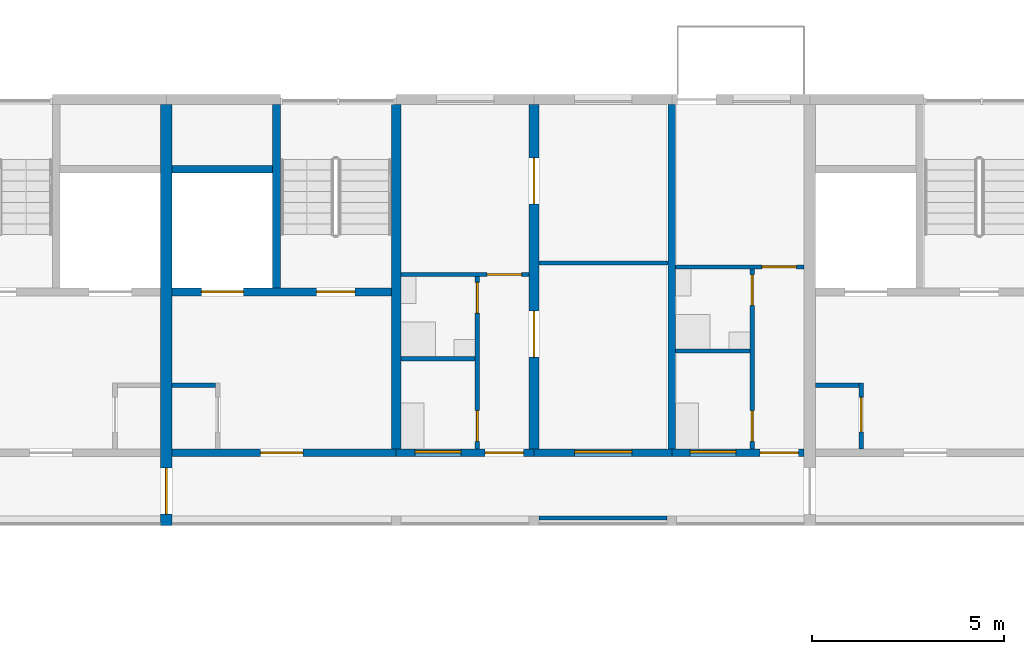
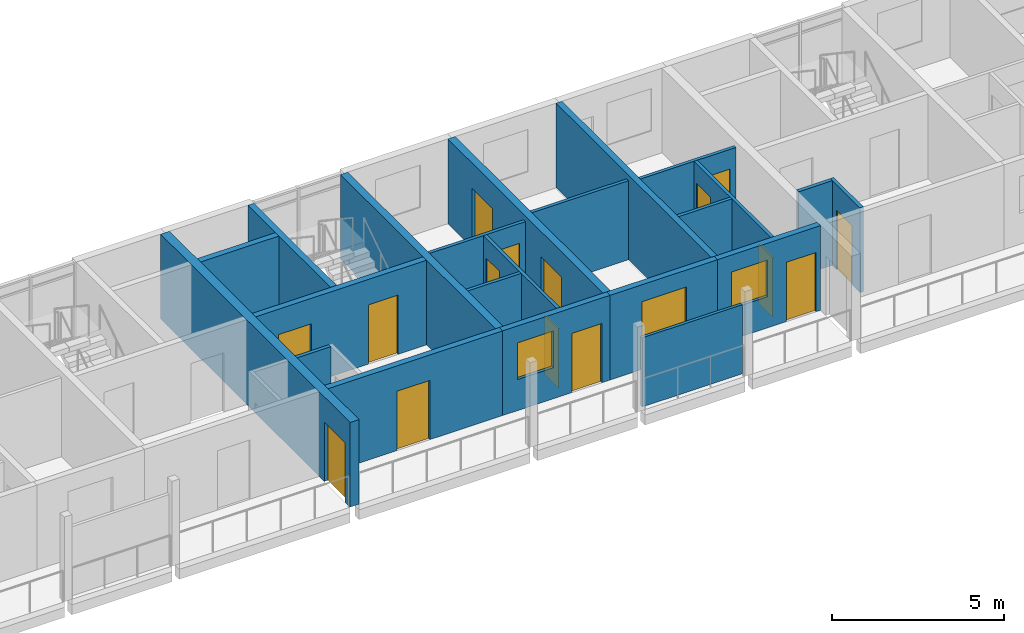
# One storey, part 53 of 100: 22 walls, 15 doors, 3 windows, 18 openings.
"""IFC4 building model written with IfcOpenShell, lengths in metres."""

from ifc_helpers import new_model, si_unit, direction, frame, frame_2d, origin, place, context, subcontext, project, spatial, rectangle, extrude, material, layer, layer_set, type_object, element, fill, save


model = new_model("IFC4")

# Units and contexts
model_context = context("Model", 3, precision=1e-05, world=origin(), true_north=direction((0.0, 1.0)))
body_context = subcontext(model_context, "Body", "Model", "MODEL_VIEW")
ifc_project = project(units=[si_unit("LENGTHUNIT", "METRE"), si_unit("AREAUNIT", "SQUARE_METRE"), si_unit("VOLUMEUNIT", "CUBIC_METRE"), si_unit("PLANEANGLEUNIT", "RADIAN"), si_unit("MASSUNIT", "GRAM", prefix="KILO")], contexts=[model_context])

# Site, building, storey
site_placement = place(None, origin())
site = spatial("IfcSite", under=ifc_project, at=site_placement, CompositionType="ELEMENT")
building_placement = place(site_placement, origin())
building = spatial("IfcBuilding", under=site, at=building_placement, Name="Ridgestep Commons", CompositionType="ELEMENT")
storey_placement = place(building_placement, frame((0.0, 0.0, 9.0)))
storey = spatial("IfcBuildingStorey", under=building, at=storey_placement, Name="L03", CompositionType="ELEMENT", Elevation=9.0)

# Wall
ifc_material_1 = material(Name="Concrete C30/37", Category="concrete")
ifc_layer_1 = layer(ifc_material_1, 0.25)
ifc_layer_set_1 = layer_set([ifc_layer_1], Name="Core cross wall 250")
wall_type_1 = type_object("IfcWallType", Name="Core cross wall 250", PredefinedType="SHEAR", material=ifc_layer_set_1)
wall_1_placement = place(storey_placement, frame((186.39990234375, 68.0, 0.0), z_axis=(0.0, 0.0, 1.0), x_axis=(0.0, 1.0, 0.0)))
element("IfcWall", 1, at=wall_1_placement, inside=storey, type_object=wall_type_1, Name="Cross wall C-03-1864", PredefinedType="SHEAR", context=body_context, shape_type="SweptSolid", body=[
    extrude(rectangle(XDim=9.0, YDim=0.25, at=frame_2d((4.5, 0.0))), origin(), (0.0, 0.0, 1.0), 3.0),
])

# Wall, opening, door
ifc_material_2 = material(Name="Concrete C30/37", Category="concrete")
ifc_layer_2 = layer(ifc_material_2, 0.199951171875)
ifc_layer_set_2 = layer_set([ifc_layer_2], Name="Core south wall 200")
wall_type_2 = type_object("IfcWallType", Name="Core south wall 200", PredefinedType="SHEAR", material=ifc_layer_set_2)
wall_2_placement = place(storey_placement, frame((180.550048828125, 67.89990234375, 0.0), z_axis=(0.0, 0.0, 1.0), x_axis=(1.0, 0.0, 0.0)))
wall_2 = element("IfcWall", 2, at=wall_2_placement, inside=storey, type_object=wall_type_2, Name="Core south wall C3C L03", PredefinedType="SHEAR", context=body_context, shape_type="SweptSolid", body=[
    extrude(rectangle(XDim=5.849853515625, YDim=0.199951171875, at=frame_2d((2.9248046875, 0.0))), origin(), (0.0, 0.0, 1.0), 3.0),
])
opening_1_placement = place(wall_2_placement, frame((2.3125, 0.0, 0.0)))
opening_1 = element("IfcOpeningElement", 3, at=opening_1_placement, cuts=wall_2, Name="Opening C3C/03/1", PredefinedType="OPENING", context=body_context, shape_type="SweptSolid", body=[
    extrude(rectangle(XDim=1.10009765625, YDim=2.10009765625, at=frame_2d((0.550048828125, 1.050048828125))), frame((0.0, 0.10986328125, 0.0), z_axis=(0.0, -1.0, 0.0), x_axis=(1.0, 0.0, 0.0)), (0.0, 0.0, 1.0), 0.219970703125),
])
ifc_material_3 = material(Name="Steel fire door", Category="steel")
door_type_1 = type_object("IfcDoorType", Name="Lobby door 1100 x 2100 FD60", OperationType="NOTDEFINED", PredefinedType="DOOR", material=ifc_material_3)
door_1_placement = place(opening_1_placement, origin())
door_1 = element("IfcDoor", 4, at=door_1_placement, inside=storey, type_object=door_type_1, Name="Lobby door C3C/03/1", OperationType="SINGLE_SWING_LEFT", OverallHeight=2.10009765625, OverallWidth=1.10009765625, PredefinedType="DOOR", context=body_context, shape_type="SweptSolid", body=[
    extrude(rectangle(XDim=1.10009765625, YDim=2.10009765625, at=frame_2d((0.550048828125, 1.050048828125))), frame((0.0, 0.02490234375, 0.0), z_axis=(0.0, -1.0, 0.0), x_axis=(1.0, 0.0, 0.0)), (0.0, 0.0, 1.0), 0.050048828125),
])
fill(opening_1, door_1)

# Wall
ifc_material_4 = material(Name="Concrete C30/37", Category="concrete")
ifc_layer_3 = layer(ifc_material_4, 0.1201171875)
ifc_layer_set_3 = layer_set([ifc_layer_3], Name="Core wall 120")
wall_type_3 = type_object("IfcWallType", Name="Core wall 120", PredefinedType="SHEAR", material=ifc_layer_set_3)
wall_3_placement = place(storey_placement, frame((180.550048828125, 69.659912109375, 0.0), z_axis=(0.0, 0.0, 1.0), x_axis=(1.0, 0.0, 0.0)))
element("IfcWall", 5, at=wall_3_placement, inside=storey, type_object=wall_type_3, Name="Core riser n wall C3C L03", PredefinedType="SHEAR", context=body_context, shape_type="SweptSolid", body=[
    extrude(rectangle(XDim=1.1298828125, YDim=0.1201171875, at=frame_2d((0.56494140625, 0.0))), origin(), (0.0, 0.0, 1.0), 3.0),
])

# Wall, opening, door
wall_4_placement = place(storey_placement, frame((198.5400390625, 68.0, 0.0), z_axis=(0.0, 0.0, 1.0), x_axis=(0.0, 1.0, 0.0)))
wall_4 = element("IfcWall", 6, at=wall_4_placement, inside=storey, type_object=wall_type_3, Name="Core riser w wall C4C L03", PredefinedType="SHEAR", context=body_context, shape_type="SweptSolid", body=[
    extrude(rectangle(XDim=1.719970703125, YDim=0.1201171875, at=frame_2d((0.85986328125, 0.0))), origin(), (0.0, 0.0, 1.0), 3.0),
])
opening_2_placement = place(wall_4_placement, frame((0.449951171875, 0.0, 0.0)))
opening_2 = element("IfcOpeningElement", 7, at=opening_2_placement, cuts=wall_4, Name="Opening C4C/03/4", PredefinedType="OPENING", context=body_context, shape_type="SweptSolid", body=[
    extrude(rectangle(XDim=0.89990234375, YDim=2.10009765625, at=frame_2d((0.449951171875, 1.050048828125))), frame((0.0, 0.070068359375, 0.0), z_axis=(0.0, -1.0, 0.0), x_axis=(1.0, 0.0, 0.0)), (0.0, 0.0, 1.0), 0.14013671875),
])
ifc_material_5 = material(Name="Steel fire door", Category="steel")
door_type_2 = type_object("IfcDoorType", Name="Riser door 900 x 2100 FD60", OperationType="NOTDEFINED", PredefinedType="DOOR", material=ifc_material_5)
door_2_placement = place(opening_2_placement, origin())
door_2 = element("IfcDoor", 8, at=door_2_placement, inside=storey, type_object=door_type_2, Name="Riser door C4C/03/4", OperationType="SINGLE_SWING_RIGHT", OverallHeight=2.10009765625, OverallWidth=0.89990234375, PredefinedType="DOOR", context=body_context, shape_type="SweptSolid", body=[
    extrude(rectangle(XDim=0.89990234375, YDim=2.10009765625, at=frame_2d((0.449951171875, 1.050048828125))), frame((0.0, 0.02490234375, 0.0), z_axis=(0.0, -1.0, 0.0), x_axis=(1.0, 0.0, 0.0)), (0.0, 0.0, 1.0), 0.050048828125),
])
fill(opening_2, door_2)

# Wall
wall_5_placement = place(storey_placement, frame((197.35009765625, 69.659912109375, 0.0), z_axis=(0.0, 0.0, 1.0), x_axis=(1.0, 0.0, 0.0)))
element("IfcWall", 9, at=wall_5_placement, inside=storey, type_object=wall_type_3, Name="Core riser n wall C4C L03", PredefinedType="SHEAR", context=body_context, shape_type="SweptSolid", body=[
    extrude(rectangle(XDim=1.1298828125, YDim=0.1201171875, at=frame_2d((0.56494140625, 0.0))), origin(), (0.0, 0.0, 1.0), 3.0),
])

# Wall, openings, doors
ifc_material_6 = material(Name="Concrete C30/37", Category="concrete")
ifc_layer_4 = layer(ifc_material_6, 0.199951171875)
ifc_layer_set_4 = layer_set([ifc_layer_4], Name="Core wall 200")
wall_type_4 = type_object("IfcWallType", Name="Core wall 200", PredefinedType="SHEAR", material=ifc_layer_set_4)
wall_6_placement = place(storey_placement, frame((180.550048828125, 72.10009765625, 0.0), z_axis=(0.0, 0.0, 1.0), x_axis=(1.0, 0.0, 0.0)))
wall_6 = element("IfcWall", 10, at=wall_6_placement, inside=storey, type_object=wall_type_4, Name="Core lobby wall C3C L03", PredefinedType="SHEAR", context=body_context, shape_type="SweptSolid", body=[
    extrude(rectangle(XDim=5.724853515625, YDim=0.199951171875, at=frame_2d((2.8623046875, 0.0))), origin(), (0.0, 0.0, 1.0), 3.0),
])
opening_3_placement = place(wall_6_placement, frame((3.77490234375, 0.0, 0.0)))
opening_3 = element("IfcOpeningElement", 11, at=opening_3_placement, cuts=wall_6, Name="Opening C3C/03/2", PredefinedType="OPENING", context=body_context, shape_type="SweptSolid", body=[
    extrude(rectangle(XDim=1.0, YDim=2.10009765625, at=frame_2d((0.5, 1.050048828125))), frame((0.0, 0.10986328125, 0.0), z_axis=(0.0, -1.0, 0.0), x_axis=(1.0, 0.0, 0.0)), (0.0, 0.0, 1.0), 0.219970703125),
])
opening_4_placement = place(wall_6_placement, frame((0.762451171875, 0.0, 0.0)))
opening_4 = element("IfcOpeningElement", 12, at=opening_4_placement, cuts=wall_6, Name="Opening C3C/03/3", PredefinedType="OPENING", context=body_context, shape_type="SweptSolid", body=[
    extrude(rectangle(XDim=1.10009765625, YDim=2.10009765625, at=frame_2d((0.550048828125, 1.050048828125))), frame((0.0, 0.10986328125, 0.0), z_axis=(0.0, -1.0, 0.0), x_axis=(1.0, 0.0, 0.0)), (0.0, 0.0, 1.0), 0.219970703125),
])
ifc_material_7 = material(Name="Stainless steel", Category="steel")
door_type_3 = type_object("IfcDoorType", Name="Lift landing door 1100 x 2100 FD60", OperationType="DOUBLE_DOOR_SLIDING", PredefinedType="DOOR", material=ifc_material_7)
door_3_placement = place(opening_4_placement, origin())
door_3 = element("IfcDoor", 13, at=door_3_placement, inside=storey, type_object=door_type_3, Name="Landing door LD C3C L03", OperationType="DOUBLE_DOOR_SLIDING", OverallHeight=2.10009765625, OverallWidth=1.10009765625, PredefinedType="DOOR", context=body_context, shape_type="SweptSolid", body=[
    extrude(rectangle(XDim=1.10009765625, YDim=2.10009765625, at=frame_2d((0.550048828125, 1.050048828125))), frame((0.0, 0.02490234375, 0.0), z_axis=(0.0, -1.0, 0.0), x_axis=(1.0, 0.0, 0.0)), (0.0, 0.0, 1.0), 0.050048828125),
])
fill(opening_4, door_3)
ifc_material_8 = material(Name="Steel fire door", Category="steel")
door_type_4 = type_object("IfcDoorType", Name="Stair door 1000 x 2100 FD60", OperationType="NOTDEFINED", PredefinedType="DOOR", material=ifc_material_8)
door_4_placement = place(opening_3_placement, origin())
door_4 = element("IfcDoor", 14, at=door_4_placement, inside=storey, type_object=door_type_4, Name="Stair door C3C/03/2", OperationType="SINGLE_SWING_RIGHT", OverallHeight=2.10009765625, OverallWidth=1.0, PredefinedType="DOOR", context=body_context, shape_type="SweptSolid", body=[
    extrude(rectangle(XDim=1.0, YDim=2.10009765625, at=frame_2d((0.5, 1.050048828125))), frame((0.0, 0.02490234375, 0.0), z_axis=(0.0, -1.0, 0.0), x_axis=(1.0, 0.0, 0.0)), (0.0, 0.0, 1.0), 0.050048828125),
])
fill(opening_3, door_4)

# Walls
wall_7_placement = place(storey_placement, frame((183.27490234375, 72.199951171875, 0.0), z_axis=(0.0, 0.0, 1.0), x_axis=(0.0, 1.0, 0.0)))
element("IfcWall", 15, at=wall_7_placement, inside=storey, type_object=wall_type_4, Name="Core stair wall C3C L03", PredefinedType="SHEAR", context=body_context, shape_type="SweptSolid", body=[
    extrude(rectangle(XDim=4.800048828125, YDim=0.199951171875, at=frame_2d((2.39990234375, 0.0))), origin(), (0.0, 0.0, 1.0), 3.0),
])
wall_8_placement = place(storey_placement, frame((180.550048828125, 75.300048828125, 0.0), z_axis=(0.0, 0.0, 1.0), x_axis=(1.0, 0.0, 0.0)))
element("IfcWall", 16, at=wall_8_placement, inside=storey, type_object=wall_type_4, Name="Core duct wall C3C L03", PredefinedType="SHEAR", context=body_context, shape_type="SweptSolid", body=[
    extrude(rectangle(XDim=2.625, YDim=0.199951171875, at=frame_2d((1.3125, 0.0))), origin(), (0.0, 0.0, 1.0), 3.0),
])
ifc_material_9 = material(Name="Precast concrete C40/50", Category="concrete")
ifc_layer_5 = layer(ifc_material_9, 0.199951171875)
ifc_layer_set_5 = layer_set([ifc_layer_5], Name="Cross wall 200")
wall_type_5 = type_object("IfcWallType", Name="Cross wall 200", PredefinedType="SHEAR", material=ifc_layer_set_5)
wall_9_placement = place(storey_placement, frame((193.60009765625, 68.0, 0.0), z_axis=(0.0, 0.0, 1.0), x_axis=(0.0, 1.0, 0.0)))
element("IfcWall", 17, at=wall_9_placement, inside=storey, type_object=wall_type_5, Name="Cross wall C-03-1936", PredefinedType="SHEAR", context=body_context, shape_type="SweptSolid", body=[
    extrude(rectangle(XDim=9.0, YDim=0.199951171875, at=frame_2d((4.5, 0.0))), origin(), (0.0, 0.0, 1.0), 3.0),
])

# Wall, openings, doors
ifc_material_10 = material(Name="Precast concrete C40/50", Category="concrete")
ifc_layer_6 = layer(ifc_material_10, 0.25)
ifc_layer_set_6 = layer_set([ifc_layer_6], Name="Cross wall 250")
wall_type_6 = type_object("IfcWallType", Name="Cross wall 250", PredefinedType="SHEAR", material=ifc_layer_set_6)
wall_10_placement = place(storey_placement, frame((190.0, 68.0, 0.0), z_axis=(0.0, 0.0, 1.0), x_axis=(0.0, 1.0, 0.0)))
wall_10 = element("IfcWall", 18, at=wall_10_placement, inside=storey, type_object=wall_type_6, Name="Cross wall C-03-1900", PredefinedType="SHEAR", context=body_context, shape_type="SweptSolid", body=[
    extrude(rectangle(XDim=9.0, YDim=0.25, at=frame_2d((4.5, 0.0))), origin(), (0.0, 0.0, 1.0), 3.0),
])
opening_5_placement = place(wall_10_placement, frame((2.39990234375, 0.0, 0.0)))
opening_5 = element("IfcOpeningElement", 19, at=opening_5_placement, cuts=wall_10, Name="Opening C3-03b/5", PredefinedType="OPENING", context=body_context, shape_type="SweptSolid", body=[
    extrude(rectangle(XDim=1.199951171875, YDim=2.10009765625, at=frame_2d((0.60009765625, 1.050048828125))), frame((0.0, 0.135009765625, 0.0), z_axis=(0.0, -1.0, 0.0), x_axis=(1.0, 0.0, 0.0)), (0.0, 0.0, 1.0), 0.27001953125),
])
opening_6_placement = place(wall_10_placement, frame((6.39990234375, 0.0, 0.0)))
opening_6 = element("IfcOpeningElement", 20, at=opening_6_placement, cuts=wall_10, Name="Opening C3-03b/6", PredefinedType="OPENING", context=body_context, shape_type="SweptSolid", body=[
    extrude(rectangle(XDim=1.199951171875, YDim=2.10009765625, at=frame_2d((0.60009765625, 1.050048828125))), frame((0.0, 0.135009765625, 0.0), z_axis=(0.0, -1.0, 0.0), x_axis=(1.0, 0.0, 0.0)), (0.0, 0.0, 1.0), 0.27001953125),
])
ifc_material_11 = material(Name="Timber door leaf", Category="wood")
door_type_5 = type_object("IfcDoorType", Name="Double door 1200 x 2100", OperationType="DOUBLE_DOOR_SINGLE_SWING", PredefinedType="DOOR", material=ifc_material_11)
door_5_placement = place(opening_5_placement, origin())
door_5 = element("IfcDoor", 21, at=door_5_placement, inside=storey, type_object=door_type_5, Name="Double door C3-03b/5", OperationType="DOUBLE_DOOR_SINGLE_SWING", OverallHeight=2.10009765625, OverallWidth=1.199951171875, PredefinedType="DOOR", context=body_context, shape_type="SweptSolid", body=[
    extrude(rectangle(XDim=1.199951171875, YDim=2.10009765625, at=frame_2d((0.60009765625, 1.050048828125))), frame((0.0, 0.02490234375, 0.0), z_axis=(0.0, -1.0, 0.0), x_axis=(1.0, 0.0, 0.0)), (0.0, 0.0, 1.0), 0.050048828125),
])
fill(opening_5, door_5)
door_6_placement = place(opening_6_placement, origin())
door_6 = element("IfcDoor", 22, at=door_6_placement, inside=storey, type_object=door_type_5, Name="Double door C3-03b/6", OperationType="DOUBLE_DOOR_SINGLE_SWING", OverallHeight=2.10009765625, OverallWidth=1.199951171875, PredefinedType="DOOR", context=body_context, shape_type="SweptSolid", body=[
    extrude(rectangle(XDim=1.199951171875, YDim=2.10009765625, at=frame_2d((0.60009765625, 1.050048828125))), frame((0.0, 0.02490234375, 0.0), z_axis=(0.0, -1.0, 0.0), x_axis=(1.0, 0.0, 0.0)), (0.0, 0.0, 1.0), 0.050048828125),
])
fill(opening_6, door_6)

# Wall, opening, door
ifc_material_12 = material(Name="Precast concrete C40/50", Category="concrete")
ifc_layer_7 = layer(ifc_material_12, 0.300048828125)
ifc_layer_set_7 = layer_set([ifc_layer_7], Name="Division wall 300")
wall_type_7 = type_object("IfcWallType", Name="Division wall 300", PredefinedType="SHEAR", material=ifc_layer_set_7)
wall_11_placement = place(storey_placement, frame((180.39990234375, 66.0, 0.0), z_axis=(0.0, 0.0, 1.0), x_axis=(0.0, 1.0, 0.0)))
wall_11 = element("IfcWall", 23, at=wall_11_placement, inside=storey, type_object=wall_type_7, Name="Cross wall C-03-1804", PredefinedType="SHEAR", context=body_context, shape_type="SweptSolid", body=[
    extrude(rectangle(XDim=11.0, YDim=0.300048828125, at=frame_2d((5.5, 0.0))), origin(), (0.0, 0.0, 1.0), 3.0),
])
opening_7_placement = place(wall_11_placement, frame((0.300048828125, 0.0, 0.0)))
opening_7 = element("IfcOpeningElement", 24, at=opening_7_placement, cuts=wall_11, Name="Opening C/03/G1804", PredefinedType="OPENING", context=body_context, shape_type="SweptSolid", body=[
    extrude(rectangle(XDim=1.199951171875, YDim=2.10009765625, at=frame_2d((0.60009765625, 1.050048828125))), frame((0.0, 0.159912109375, 0.0), z_axis=(0.0, -1.0, 0.0), x_axis=(1.0, 0.0, 0.0)), (0.0, 0.0, 1.0), 0.320068359375),
])
ifc_material_13 = material(Name="Steel fire door", Category="steel")
door_type_6 = type_object("IfcDoorType", Name="Division fire door 1200 x 2100 EI 240", OperationType="DOUBLE_DOOR_SINGLE_SWING", PredefinedType="DOOR", material=ifc_material_13)
door_7_placement = place(opening_7_placement, origin())
door_7 = element("IfcDoor", 25, at=door_7_placement, inside=storey, type_object=door_type_6, Name="Division fire door C/03/G1804", OperationType="DOUBLE_DOOR_SINGLE_SWING", OverallHeight=2.10009765625, OverallWidth=1.199951171875, PredefinedType="DOOR", context=body_context, shape_type="SweptSolid", body=[
    extrude(rectangle(XDim=1.199951171875, YDim=2.10009765625, at=frame_2d((0.60009765625, 1.050048828125))), frame((0.0, 0.02490234375, 0.0), z_axis=(0.0, -1.0, 0.0), x_axis=(1.0, 0.0, 0.0)), (0.0, 0.0, 1.0), 0.050048828125),
])
fill(opening_7, door_7)

# Wall
ifc_material_14 = material(Name="Common brick 110 mm", Category="masonry")
ifc_layer_8 = layer(ifc_material_14, 0.110107421875)
ifc_layer_set_8 = layer_set([ifc_layer_8], Name="Partition 110")
wall_type_8 = type_object("IfcWallType", Name="Partition 110", PredefinedType="PARTITIONING", material=ifc_layer_set_8)
wall_12_placement = place(storey_placement, frame((193.699951171875, 70.554931640625, 0.0), z_axis=(0.0, 0.0, 1.0), x_axis=(1.0, 0.0, 0.0)))
element("IfcWall", 26, at=wall_12_placement, inside=storey, type_object=wall_type_8, Name="Partition C3-03a", PredefinedType="PARTITIONING", context=body_context, shape_type="SweptSolid", body=[
    extrude(rectangle(XDim=1.93994140625, YDim=0.110107421875, at=frame_2d((0.969970703125, 0.0))), origin(), (0.0, 0.0, 1.0), 2.800048828125),
])

# Wall, openings, doors
wall_13_placement = place(storey_placement, frame((195.695068359375, 68.0, 0.0), z_axis=(0.0, 0.0, 1.0), x_axis=(0.0, 1.0, 0.0)))
wall_13 = element("IfcWall", 27, at=wall_13_placement, inside=storey, type_object=wall_type_8, Name="Partition C3-03a", PredefinedType="PARTITIONING", context=body_context, shape_type="SweptSolid", body=[
    extrude(rectangle(XDim=4.699951171875, YDim=0.110107421875, at=frame_2d((2.35009765625, 0.0))), origin(), (0.0, 0.0, 1.0), 2.800048828125),
])
opening_8_placement = place(wall_13_placement, frame((0.199951171875, 0.0, 0.0)))
opening_8 = element("IfcOpeningElement", 28, at=opening_8_placement, cuts=wall_13, Name="Opening C3-03a/2", PredefinedType="OPENING", context=body_context, shape_type="SweptSolid", body=[
    extrude(rectangle(XDim=0.800048828125, YDim=2.10009765625, at=frame_2d((0.39990234375, 1.050048828125))), frame((0.0, 0.06494140625, 0.0), z_axis=(0.0, -1.0, 0.0), x_axis=(1.0, 0.0, 0.0)), (0.0, 0.0, 1.0), 0.130126953125),
])
opening_9_placement = place(wall_13_placement, frame((3.75, 0.0, 0.0)))
opening_9 = element("IfcOpeningElement", 29, at=opening_9_placement, cuts=wall_13, Name="Opening C3-03a/3", PredefinedType="OPENING", context=body_context, shape_type="SweptSolid", body=[
    extrude(rectangle(XDim=0.800048828125, YDim=2.10009765625, at=frame_2d((0.39990234375, 1.050048828125))), frame((0.0, 0.06494140625, 0.0), z_axis=(0.0, -1.0, 0.0), x_axis=(1.0, 0.0, 0.0)), (0.0, 0.0, 1.0), 0.130126953125),
])
ifc_material_15 = material(Name="Timber door leaf", Category="wood")
door_type_7 = type_object("IfcDoorType", Name="Internal door 800 x 2100", OperationType="NOTDEFINED", PredefinedType="DOOR", material=ifc_material_15)
door_8_placement = place(opening_8_placement, origin())
door_8 = element("IfcDoor", 30, at=door_8_placement, inside=storey, type_object=door_type_7, Name="Internal door C3-03a/2", OperationType="SINGLE_SWING_LEFT", OverallHeight=2.10009765625, OverallWidth=0.800048828125, PredefinedType="DOOR", context=body_context, shape_type="SweptSolid", body=[
    extrude(rectangle(XDim=0.800048828125, YDim=2.10009765625, at=frame_2d((0.39990234375, 1.050048828125))), frame((0.0, 0.02490234375, 0.0), z_axis=(0.0, -1.0, 0.0), x_axis=(1.0, 0.0, 0.0)), (0.0, 0.0, 1.0), 0.050048828125),
])
fill(opening_8, door_8)
door_9_placement = place(opening_9_placement, origin())
door_9 = element("IfcDoor", 31, at=door_9_placement, inside=storey, type_object=door_type_7, Name="Internal door C3-03a/3", OperationType="SINGLE_SWING_RIGHT", OverallHeight=2.10009765625, OverallWidth=0.800048828125, PredefinedType="DOOR", context=body_context, shape_type="SweptSolid", body=[
    extrude(rectangle(XDim=0.800048828125, YDim=2.10009765625, at=frame_2d((0.39990234375, 1.050048828125))), frame((0.0, 0.02490234375, 0.0), z_axis=(0.0, -1.0, 0.0), x_axis=(1.0, 0.0, 0.0)), (0.0, 0.0, 1.0), 0.050048828125),
])
fill(opening_9, door_9)

# Wall, opening, door
wall_14_placement = place(storey_placement, frame((193.699951171875, 72.7548828125, 0.0), z_axis=(0.0, 0.0, 1.0), x_axis=(1.0, 0.0, 0.0)))
wall_14 = element("IfcWall", 32, at=wall_14_placement, inside=storey, type_object=wall_type_8, Name="Partition C3-03a", PredefinedType="PARTITIONING", context=body_context, shape_type="SweptSolid", body=[
    extrude(rectangle(XDim=3.35009765625, YDim=0.110107421875, at=frame_2d((1.675048828125, 0.0))), origin(), (0.0, 0.0, 1.0), 2.800048828125),
])
opening_10_placement = place(wall_14_placement, frame((2.25, 0.0, 0.0)))
opening_10 = element("IfcOpeningElement", 33, at=opening_10_placement, cuts=wall_14, Name="Opening C3-03a/4", PredefinedType="OPENING", context=body_context, shape_type="SweptSolid", body=[
    extrude(rectangle(XDim=0.89990234375, YDim=2.10009765625, at=frame_2d((0.449951171875, 1.050048828125))), frame((0.0, 0.06494140625, 0.0), z_axis=(0.0, -1.0, 0.0), x_axis=(1.0, 0.0, 0.0)), (0.0, 0.0, 1.0), 0.130126953125),
])
ifc_material_16 = material(Name="Timber door leaf", Category="wood")
door_type_8 = type_object("IfcDoorType", Name="Internal door 900 x 2100", OperationType="NOTDEFINED", PredefinedType="DOOR", material=ifc_material_16)
door_10_placement = place(opening_10_placement, origin())
door_10 = element("IfcDoor", 34, at=door_10_placement, inside=storey, type_object=door_type_8, Name="Internal door C3-03a/4", OperationType="SINGLE_SWING_LEFT", OverallHeight=2.10009765625, OverallWidth=0.89990234375, PredefinedType="DOOR", context=body_context, shape_type="SweptSolid", body=[
    extrude(rectangle(XDim=0.89990234375, YDim=2.10009765625, at=frame_2d((0.449951171875, 1.050048828125))), frame((0.0, 0.02490234375, 0.0), z_axis=(0.0, -1.0, 0.0), x_axis=(1.0, 0.0, 0.0)), (0.0, 0.0, 1.0), 0.050048828125),
])
fill(opening_10, door_10)

# Wall
wall_15_placement = place(storey_placement, frame((186.52490234375, 70.35498046875, 0.0), z_axis=(0.0, 0.0, 1.0), x_axis=(1.0, 0.0, 0.0)))
element("IfcWall", 35, at=wall_15_placement, inside=storey, type_object=wall_type_8, Name="Partition C3-03b", PredefinedType="PARTITIONING", context=body_context, shape_type="SweptSolid", body=[
    extrude(rectangle(XDim=1.940185546875, YDim=0.110107421875, at=frame_2d((0.97021484375, 0.0))), origin(), (0.0, 0.0, 1.0), 2.800048828125),
])

# Wall, openings, doors
wall_16_placement = place(storey_placement, frame((188.52001953125, 68.0, 0.0), z_axis=(0.0, 0.0, 1.0), x_axis=(0.0, 1.0, 0.0)))
wall_16 = element("IfcWall", 36, at=wall_16_placement, inside=storey, type_object=wall_type_8, Name="Partition C3-03b", PredefinedType="PARTITIONING", context=body_context, shape_type="SweptSolid", body=[
    extrude(rectangle(XDim=4.5, YDim=0.110107421875, at=frame_2d((2.25, 0.0))), origin(), (0.0, 0.0, 1.0), 2.800048828125),
])
opening_11_placement = place(wall_16_placement, frame((0.199951171875, 0.0, 0.0)))
opening_11 = element("IfcOpeningElement", 37, at=opening_11_placement, cuts=wall_16, Name="Opening C3-03b/2", PredefinedType="OPENING", context=body_context, shape_type="SweptSolid", body=[
    extrude(rectangle(XDim=0.800048828125, YDim=2.10009765625, at=frame_2d((0.39990234375, 1.050048828125))), frame((0.0, 0.06494140625, 0.0), z_axis=(0.0, -1.0, 0.0), x_axis=(1.0, 0.0, 0.0)), (0.0, 0.0, 1.0), 0.130126953125),
])
opening_12_placement = place(wall_16_placement, frame((3.550048828125, 0.0, 0.0)))
opening_12 = element("IfcOpeningElement", 38, at=opening_12_placement, cuts=wall_16, Name="Opening C3-03b/3", PredefinedType="OPENING", context=body_context, shape_type="SweptSolid", body=[
    extrude(rectangle(XDim=0.800048828125, YDim=2.10009765625, at=frame_2d((0.39990234375, 1.050048828125))), frame((0.0, 0.06494140625, 0.0), z_axis=(0.0, -1.0, 0.0), x_axis=(1.0, 0.0, 0.0)), (0.0, 0.0, 1.0), 0.130126953125),
])
door_11_placement = place(opening_11_placement, origin())
door_11 = element("IfcDoor", 39, at=door_11_placement, inside=storey, type_object=door_type_7, Name="Internal door C3-03b/2", OperationType="SINGLE_SWING_LEFT", OverallHeight=2.10009765625, OverallWidth=0.800048828125, PredefinedType="DOOR", context=body_context, shape_type="SweptSolid", body=[
    extrude(rectangle(XDim=0.800048828125, YDim=2.10009765625, at=frame_2d((0.39990234375, 1.050048828125))), frame((0.0, 0.02490234375, 0.0), z_axis=(0.0, -1.0, 0.0), x_axis=(1.0, 0.0, 0.0)), (0.0, 0.0, 1.0), 0.050048828125),
])
fill(opening_11, door_11)
door_12_placement = place(opening_12_placement, origin())
door_12 = element("IfcDoor", 40, at=door_12_placement, inside=storey, type_object=door_type_7, Name="Internal door C3-03b/3", OperationType="SINGLE_SWING_RIGHT", OverallHeight=2.10009765625, OverallWidth=0.800048828125, PredefinedType="DOOR", context=body_context, shape_type="SweptSolid", body=[
    extrude(rectangle(XDim=0.800048828125, YDim=2.10009765625, at=frame_2d((0.39990234375, 1.050048828125))), frame((0.0, 0.02490234375, 0.0), z_axis=(0.0, -1.0, 0.0), x_axis=(1.0, 0.0, 0.0)), (0.0, 0.0, 1.0), 0.050048828125),
])
fill(opening_12, door_12)

# Wall, opening, door
wall_17_placement = place(storey_placement, frame((186.52490234375, 72.554931640625, 0.0), z_axis=(0.0, 0.0, 1.0), x_axis=(1.0, 0.0, 0.0)))
wall_17 = element("IfcWall", 41, at=wall_17_placement, inside=storey, type_object=wall_type_8, Name="Partition C3-03b", PredefinedType="PARTITIONING", context=body_context, shape_type="SweptSolid", body=[
    extrude(rectangle(XDim=3.35009765625, YDim=0.110107421875, at=frame_2d((1.675048828125, 0.0))), origin(), (0.0, 0.0, 1.0), 2.800048828125),
])
opening_13_placement = place(wall_17_placement, frame((2.25, 0.0, 0.0)))
opening_13 = element("IfcOpeningElement", 42, at=opening_13_placement, cuts=wall_17, Name="Opening C3-03b/4", PredefinedType="OPENING", context=body_context, shape_type="SweptSolid", body=[
    extrude(rectangle(XDim=0.89990234375, YDim=2.10009765625, at=frame_2d((0.449951171875, 1.050048828125))), frame((0.0, 0.06494140625, 0.0), z_axis=(0.0, -1.0, 0.0), x_axis=(1.0, 0.0, 0.0)), (0.0, 0.0, 1.0), 0.130126953125),
])
door_13_placement = place(opening_13_placement, origin())
door_13 = element("IfcDoor", 43, at=door_13_placement, inside=storey, type_object=door_type_8, Name="Internal door C3-03b/4", OperationType="SINGLE_SWING_LEFT", OverallHeight=2.10009765625, OverallWidth=0.89990234375, PredefinedType="DOOR", context=body_context, shape_type="SweptSolid", body=[
    extrude(rectangle(XDim=0.89990234375, YDim=2.10009765625, at=frame_2d((0.449951171875, 1.050048828125))), frame((0.0, 0.02490234375, 0.0), z_axis=(0.0, -1.0, 0.0), x_axis=(1.0, 0.0, 0.0)), (0.0, 0.0, 1.0), 0.050048828125),
])
fill(opening_13, door_13)

# Walls
wall_18_placement = place(storey_placement, frame((190.125, 72.85498046875, 0.0), z_axis=(0.0, 0.0, 1.0), x_axis=(1.0, 0.0, 0.0)))
element("IfcWall", 44, at=wall_18_placement, inside=storey, type_object=wall_type_8, Name="Partition C3-03b", PredefinedType="PARTITIONING", context=body_context, shape_type="SweptSolid", body=[
    extrude(rectangle(XDim=3.375, YDim=0.110107421875, at=frame_2d((1.6875, 0.0))), origin(), (0.0, 0.0, 1.0), 2.800048828125),
])
ifc_material_17 = material(Name="Precast concrete C30/37", Category="concrete")
ifc_layer_9 = layer(ifc_material_17, 0.10009765625)
ifc_layer_set_9 = layer_set([ifc_layer_9], Name="Perforated gallery screen 3350 x 2450 x 100")
wall_type_9 = type_object("IfcWallType", Name="Perforated gallery screen 3350 x 2450 x 100", PredefinedType="SOLIDWALL", material=ifc_layer_set_9)
wall_19_placement = place(storey_placement, frame((190.125, 66.199951171875, 0.0), z_axis=(0.0, 0.0, 1.0), x_axis=(1.0, 0.0, 0.0)))
element("IfcWall", 45, at=wall_19_placement, inside=storey, type_object=wall_type_9, Name="Gallery screen C3T2 03", PredefinedType="SOLIDWALL", context=body_context, shape_type="SweptSolid", body=[
    extrude(rectangle(XDim=3.35009765625, YDim=0.10009765625, at=frame_2d((1.675048828125, 0.0))), origin(), (0.0, 0.0, 1.0), 2.449951171875),
])

# Wall, openings, door, window
ifc_material_18 = material(Name="Precast concrete C40/50", Category="concrete")
ifc_layer_10 = layer(ifc_material_18, 0.199951171875)
ifc_layer_set_10 = layer_set([ifc_layer_10], Name="South facade panel 200")
wall_type_10 = type_object("IfcWallType", Name="South facade panel 200", PredefinedType="SOLIDWALL", material=ifc_layer_set_10)
wall_20_placement = place(storey_placement, frame((186.39990234375, 67.89990234375, 0.0), z_axis=(0.0, 0.0, 1.0), x_axis=(1.0, 0.0, 0.0)))
wall_20 = element("IfcWall", 46, at=wall_20_placement, inside=storey, type_object=wall_type_10, Name="South panel C3T3 L03", PredefinedType="SOLIDWALL", context=body_context, shape_type="SweptSolid", body=[
    extrude(rectangle(XDim=3.60009765625, YDim=0.199951171875, at=frame_2d((1.800048828125, 0.0))), origin(), (0.0, 0.0, 1.0), 3.0),
])
opening_14_placement = place(wall_20_placement, frame((0.4951171875, 0.0, 1.10009765625)))
opening_14 = element("IfcOpeningElement", 47, at=opening_14_placement, cuts=wall_20, Name="Opening W08", PredefinedType="OPENING", context=body_context, shape_type="SweptSolid", body=[
    extrude(rectangle(XDim=1.199951171875, YDim=1.300048828125, at=frame_2d((0.60009765625, 0.64990234375))), frame((0.0, 0.10986328125, 0.0), z_axis=(0.0, -1.0, 0.0), x_axis=(1.0, 0.0, 0.0)), (0.0, 0.0, 1.0), 0.219970703125),
])
opening_15_placement = place(wall_20_placement, frame((2.324951171875, 0.0, 0.0)))
opening_15 = element("IfcOpeningElement", 48, at=opening_15_placement, cuts=wall_20, Name="Opening C3-03b/1", PredefinedType="OPENING", context=body_context, shape_type="SweptSolid", body=[
    extrude(rectangle(XDim=1.0, YDim=2.10009765625, at=frame_2d((0.5, 1.050048828125))), frame((0.0, 0.10986328125, 0.0), z_axis=(0.0, -1.0, 0.0), x_axis=(1.0, 0.0, 0.0)), (0.0, 0.0, 1.0), 0.219970703125),
])
ifc_material_19 = material(Name="Timber door leaf", Category="wood")
door_type_9 = type_object("IfcDoorType", Name="Flat entrance door 1000 x 2100 FD30S", OperationType="NOTDEFINED", PredefinedType="DOOR", material=ifc_material_19)
door_14_placement = place(opening_15_placement, origin())
door_14 = element("IfcDoor", 49, at=door_14_placement, inside=storey, type_object=door_type_9, Name="Flat entrance door C3-03b/1", OperationType="SINGLE_SWING_RIGHT", OverallHeight=2.10009765625, OverallWidth=1.0, PredefinedType="DOOR", context=body_context, shape_type="SweptSolid", body=[
    extrude(rectangle(XDim=1.0, YDim=2.10009765625, at=frame_2d((0.5, 1.050048828125))), frame((0.0, 0.02490234375, 0.0), z_axis=(0.0, -1.0, 0.0), x_axis=(1.0, 0.0, 0.0)), (0.0, 0.0, 1.0), 0.050048828125),
])
fill(opening_15, door_14)
ifc_material_20 = material(Name="Aluminium 6063-T6 and glass", Category="aluminium")
window_type_1 = type_object("IfcWindowType", Name="Flat window 1200 x 1300", PartitioningType="SINGLE_PANEL", PredefinedType="WINDOW", material=ifc_material_20)
window_1_placement = place(opening_14_placement, origin())
window_1 = element("IfcWindow", 50, at=window_1_placement, inside=storey, type_object=window_type_1, Name="Window C3-03b 3", OverallHeight=1.300048828125, OverallWidth=1.199951171875, PartitioningType="SINGLE_PANEL", PredefinedType="WINDOW", context=body_context, shape_type="SweptSolid", body=[
    extrude(rectangle(XDim=1.199951171875, YDim=1.300048828125, at=frame_2d((0.60009765625, 0.64990234375))), frame((0.0, 0.06005859375, 0.0), z_axis=(0.0, -1.0, 0.0), x_axis=(1.0, 0.0, 0.0)), (0.0, 0.0, 1.0), 0.06005859375),
])
fill(opening_14, window_1)

# Wall, opening, window
wall_21_placement = place(storey_placement, frame((190.0, 67.89990234375, 0.0), z_axis=(0.0, 0.0, 1.0), x_axis=(1.0, 0.0, 0.0)))
wall_21 = element("IfcWall", 51, at=wall_21_placement, inside=storey, type_object=wall_type_10, Name="South panel C3T2 L03", PredefinedType="SOLIDWALL", context=body_context, shape_type="SweptSolid", body=[
    extrude(rectangle(XDim=3.60009765625, YDim=0.199951171875, at=frame_2d((1.800048828125, 0.0))), origin(), (0.0, 0.0, 1.0), 3.0),
])
opening_16_placement = place(wall_21_placement, frame((1.0625, 0.0, 0.89990234375)))
opening_16 = element("IfcOpeningElement", 52, at=opening_16_placement, cuts=wall_21, Name="Opening W16", PredefinedType="OPENING", context=body_context, shape_type="SweptSolid", body=[
    extrude(rectangle(XDim=1.5, YDim=1.5, at=frame_2d((0.75, 0.75))), frame((0.0, 0.10986328125, 0.0), z_axis=(0.0, -1.0, 0.0), x_axis=(1.0, 0.0, 0.0)), (0.0, 0.0, 1.0), 0.219970703125),
])
ifc_material_21 = material(Name="Aluminium 6063-T6 and glass", Category="aluminium")
window_type_2 = type_object("IfcWindowType", Name="Flat window 1500 x 1500", PartitioningType="DOUBLE_PANEL_VERTICAL", PredefinedType="WINDOW", material=ifc_material_21)
window_2_placement = place(opening_16_placement, origin())
window_2 = element("IfcWindow", 53, at=window_2_placement, inside=storey, type_object=window_type_2, Name="Window C3-03b 1", OverallHeight=1.5, OverallWidth=1.5, PartitioningType="SINGLE_PANEL", PredefinedType="WINDOW", context=body_context, shape_type="SweptSolid", body=[
    extrude(rectangle(XDim=1.5, YDim=1.5, at=frame_2d((0.75, 0.75))), frame((0.0, 0.06005859375, 0.0), z_axis=(0.0, -1.0, 0.0), x_axis=(1.0, 0.0, 0.0)), (0.0, 0.0, 1.0), 0.06005859375),
])
fill(opening_16, window_2)

# Wall, openings, door, window
wall_22_placement = place(storey_placement, frame((193.60009765625, 67.89990234375, 0.0), z_axis=(0.0, 0.0, 1.0), x_axis=(1.0, 0.0, 0.0)))
wall_22 = element("IfcWall", 54, at=wall_22_placement, inside=storey, type_object=wall_type_10, Name="South panel C3T1 L03", PredefinedType="SOLIDWALL", context=body_context, shape_type="SweptSolid", body=[
    extrude(rectangle(XDim=3.449951171875, YDim=0.199951171875, at=frame_2d((1.72509765625, 0.0))), origin(), (0.0, 0.0, 1.0), 3.0),
])
opening_17_placement = place(wall_22_placement, frame((0.469970703125, 0.0, 1.10009765625)))
opening_17 = element("IfcOpeningElement", 55, at=opening_17_placement, cuts=wall_22, Name="Opening W08", PredefinedType="OPENING", context=body_context, shape_type="SweptSolid", body=[
    extrude(rectangle(XDim=1.199951171875, YDim=1.300048828125, at=frame_2d((0.60009765625, 0.64990234375))), frame((0.0, 0.10986328125, 0.0), z_axis=(0.0, -1.0, 0.0), x_axis=(1.0, 0.0, 0.0)), (0.0, 0.0, 1.0), 0.219970703125),
])
opening_18_placement = place(wall_22_placement, frame((2.300048828125, 0.0, 0.0)))
opening_18 = element("IfcOpeningElement", 56, at=opening_18_placement, cuts=wall_22, Name="Opening C3-03a/1", PredefinedType="OPENING", context=body_context, shape_type="SweptSolid", body=[
    extrude(rectangle(XDim=1.0, YDim=2.10009765625, at=frame_2d((0.5, 1.050048828125))), frame((0.0, 0.10986328125, 0.0), z_axis=(0.0, -1.0, 0.0), x_axis=(1.0, 0.0, 0.0)), (0.0, 0.0, 1.0), 0.219970703125),
])
door_15_placement = place(opening_18_placement, origin())
door_15 = element("IfcDoor", 57, at=door_15_placement, inside=storey, type_object=door_type_9, Name="Flat entrance door C3-03a/1", OperationType="SINGLE_SWING_RIGHT", OverallHeight=2.10009765625, OverallWidth=1.0, PredefinedType="DOOR", context=body_context, shape_type="SweptSolid", body=[
    extrude(rectangle(XDim=1.0, YDim=2.10009765625, at=frame_2d((0.5, 1.050048828125))), frame((0.0, 0.02490234375, 0.0), z_axis=(0.0, -1.0, 0.0), x_axis=(1.0, 0.0, 0.0)), (0.0, 0.0, 1.0), 0.050048828125),
])
fill(opening_18, door_15)
window_3_placement = place(opening_17_placement, origin())
window_3 = element("IfcWindow", 58, at=window_3_placement, inside=storey, type_object=window_type_1, Name="Window C3-03a 1", OverallHeight=1.300048828125, OverallWidth=1.199951171875, PartitioningType="SINGLE_PANEL", PredefinedType="WINDOW", context=body_context, shape_type="SweptSolid", body=[
    extrude(rectangle(XDim=1.199951171875, YDim=1.300048828125, at=frame_2d((0.60009765625, 0.64990234375))), frame((0.0, 0.06005859375, 0.0), z_axis=(0.0, -1.0, 0.0), x_axis=(1.0, 0.0, 0.0)), (0.0, 0.0, 1.0), 0.06005859375),
])
fill(opening_17, window_3)

save(model, "model.ifc")
